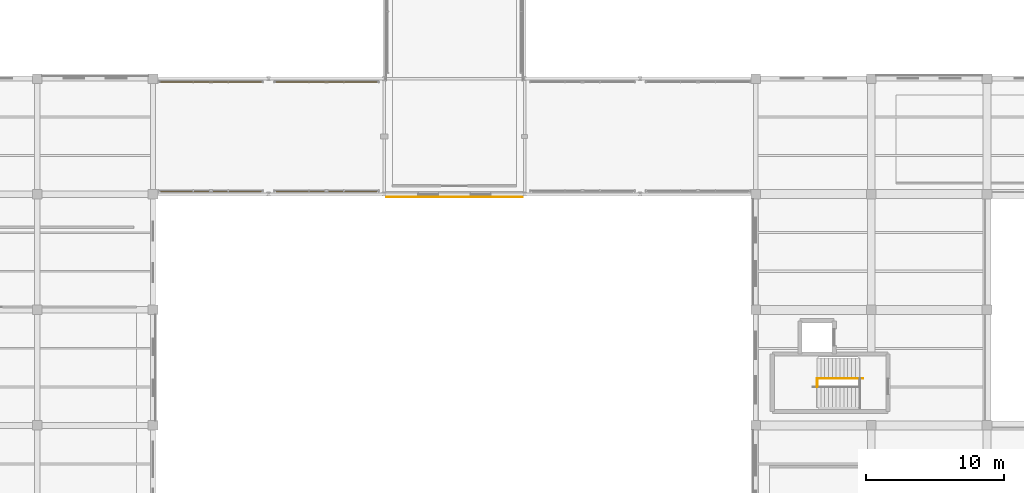
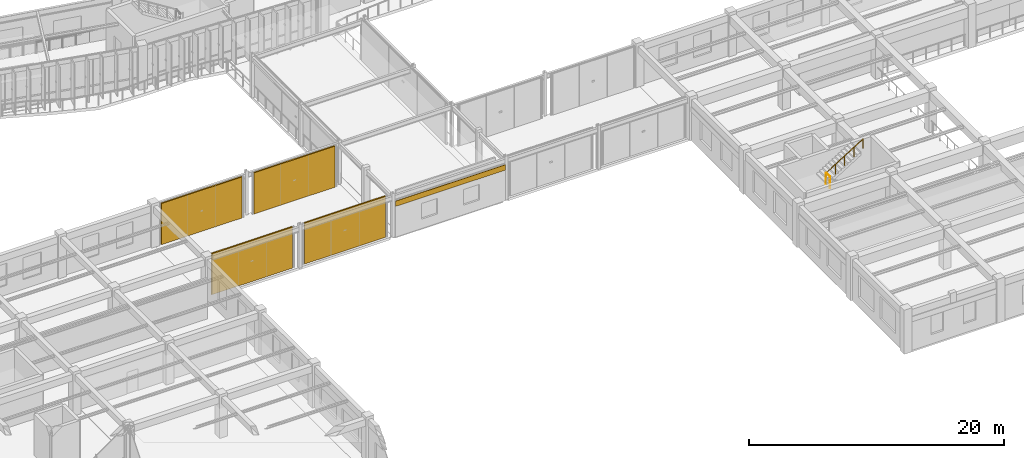
# One storey, part 140 of 152: 4 shading devices, 2 railings, 1 covering.
"""IFC4 building model written with IfcOpenShell, lengths in metres."""

import ifcopenshell
import ifcopenshell.guid

model = None  # the IFC model being written
_history = None  # IfcOwnerHistory: only IFC2X3 demands one
_inside = {}  # id of a spatial element -> (the spatial element, [elements in it])
_under = {}  # id of a project, library or spatial element -> (it, [spatial elements below it])
_declared = {}  # id of a project -> (the project, [libraries it declares])
_typed = {}  # id of a type object -> (the type object, [elements of that type])
_made_of = {}  # id of a material, layer set ... -> (it, [elements and type objects made of it])


def new_model(schema):
    """Start an empty IFC model of exactly this schema.

    Asked for "IFC4X3", IfcOpenShell would pick the latest addendum, in which some entities
    have other attributes; the version numbers below select the first issue.
    IFC2X3 requires an IfcOwnerHistory on every rooted entity: one is made here for all.
    """
    global model, _history
    if schema == "IFC4X3":
        model = ifcopenshell.file(schema_version=(4, 3, 0, 0))
    else:
        model = ifcopenshell.file(schema=schema)
    _inside.clear()
    _under.clear()
    _declared.clear()
    _typed.clear()
    _made_of.clear()
    _history = None
    if model.schema == "IFC2X3":
        org = make("IfcOrganization", Name="unknown")
        user = make(
            "IfcPersonAndOrganization",
            ThePerson=make("IfcPerson", FamilyName="unknown"),
            TheOrganization=org,
        )
        app = make(
            "IfcApplication",
            ApplicationDeveloper=org,
            Version="unknown",
            ApplicationFullName="unknown",
            ApplicationIdentifier="unknown",
        )
        _history = make(
            "IfcOwnerHistory",
            OwningUser=user,
            OwningApplication=app,
            ChangeAction="ADDED",
            CreationDate=0,
        )
    return model


def make(cls, **values):
    """One entity of the class cls with the attributes given. An attribute that is None is left unset."""
    return model.create_entity(
        cls, **{name: value for name, value in values.items() if value is not None}
    )


def rooted(cls, **values):
    """An entity with a GlobalId (a new one), such as an element, a storey or a relation."""
    return make(cls, GlobalId=ifcopenshell.guid.new(), OwnerHistory=_history, **values)


def si_unit(unit_type, name, prefix=None):
    """IfcSIUnit, for example si_unit("LENGTHUNIT", "METRE", prefix="MILLI")."""
    return make("IfcSIUnit", UnitType=unit_type, Prefix=prefix, Name=name)


def assignment(units):
    """IfcUnitAssignment: the units of a project."""
    return None if units is None else make("IfcUnitAssignment", Units=units)


def point(xyz):
    """IfcCartesianPoint."""
    return None if xyz is None else make("IfcCartesianPoint", Coordinates=xyz)


def direction(xyz):
    """IfcDirection."""
    return None if xyz is None else make("IfcDirection", DirectionRatios=xyz)


def frame(location, z_axis=None, x_axis=None):
    """IfcAxis2Placement3D, a coordinate frame: its origin and axes. An axis left out is left unset."""
    return make(
        "IfcAxis2Placement3D",
        Location=point(location),
        Axis=direction(z_axis),
        RefDirection=direction(x_axis),
    )


def frame_2d(location, x_axis=None):
    """IfcAxis2Placement2D, a coordinate frame in the plane: its origin and x axis."""
    return make(
        "IfcAxis2Placement2D", Location=point(location), RefDirection=direction(x_axis)
    )


def origin():
    """The frame at (0, 0, 0) with its axes left unset."""
    return frame((0.0, 0.0, 0.0))


def origin_2d():
    """The frame at (0, 0) in the plane with its x axis left unset."""
    return frame_2d((0.0, 0.0))


def place(relative_to, where):
    """IfcLocalPlacement: puts the frame where relative to a parent placement (None: the world)."""
    return make(
        "IfcLocalPlacement", PlacementRelTo=relative_to, RelativePlacement=where
    )


def context(
    kind, dimensions, precision=None, world=None, true_north=None, identifier=None
):
    """IfcGeometricRepresentationContext, for example the 3D "Model" context."""
    return make(
        "IfcGeometricRepresentationContext",
        ContextIdentifier=identifier,
        ContextType=kind,
        CoordinateSpaceDimension=dimensions,
        Precision=precision,
        WorldCoordinateSystem=world,
        TrueNorth=true_north,
    )


def subcontext(parent, identifier, kind, view, scale=None):
    """IfcGeometricRepresentationSubContext, for example "Body" below "Model"."""
    return make(
        "IfcGeometricRepresentationSubContext",
        ContextIdentifier=identifier,
        ContextType=kind,
        ParentContext=parent,
        TargetScale=scale,
        TargetView=view,
    )


def project(units=None, contexts=None):
    """IfcProject with its units and contexts."""
    return rooted(
        "IfcProject",
        Name="project",
        RepresentationContexts=contexts,
        UnitsInContext=assignment(units),
    )


def spatial(cls, under=None, at=None, **own):
    """A site, building, storey or space (cls), placed at a placement, below another one or the project."""
    s = rooted(cls, ObjectPlacement=at, **own)
    if under is not None:
        _under.setdefault(under.id(), (under, []))[1].append(s)
    return s


def polyline(points):
    """IfcPolyline through the points."""
    return make("IfcPolyline", Points=[point(p) for p in points])


def profile(cls, at=None, kind="AREA", **sizes):
    """A parametric profile (cls). Its sizes go by their IFC names, for example OverallWidth=200.0."""
    return make(cls, ProfileType=kind, Position=at, **sizes)


def rectangle(**sizes):
    """IfcRectangleProfileDef."""
    return profile("IfcRectangleProfileDef", **sizes)


def circle(**sizes):
    """IfcCircleProfileDef."""
    return profile("IfcCircleProfileDef", **sizes)


def outline(outer, holes=None, kind="AREA"):
    """IfcArbitraryClosedProfileDef: a profile drawn as a closed curve; with holes, ...WithVoids."""
    if holes is None:
        return make("IfcArbitraryClosedProfileDef", ProfileType=kind, OuterCurve=outer)
    return make(
        "IfcArbitraryProfileDefWithVoids",
        ProfileType=kind,
        OuterCurve=outer,
        InnerCurves=holes,
    )


def extrude(swept, where, along, depth):
    """IfcExtrudedAreaSolid: the profile swept, set in the frame where, extruded along a direction by depth."""
    return make(
        "IfcExtrudedAreaSolid",
        SweptArea=swept,
        Position=where,
        ExtrudedDirection=direction(along),
        Depth=depth,
    )


def shape(context_of_items, identifier, shape_type, items):
    """IfcShapeRepresentation: the items that make up one representation, for example the "Body"."""
    return make(
        "IfcShapeRepresentation",
        ContextOfItems=context_of_items,
        RepresentationIdentifier=identifier,
        RepresentationType=shape_type,
        Items=items,
    )


def material(Name=None, Category=None):
    """IfcMaterial."""
    return make("IfcMaterial", Name=Name, Category=Category)


def layer(
    of_material, thickness, ventilated=None, Name=None, Category=None, Priority=None
):
    """IfcMaterialLayer: one layer of a wall or slab, of a material (None: an air gap)."""
    return make(
        "IfcMaterialLayer",
        Material=of_material,
        LayerThickness=thickness,
        IsVentilated=ventilated,
        Name=Name,
        Category=Category,
        Priority=Priority,
    )


def layer_set(layers, Name=None):
    """IfcMaterialLayerSet."""
    return make("IfcMaterialLayerSet", MaterialLayers=layers, LayerSetName=Name)


def made_of(thing, what):
    """Note that an element or type object is made of a material, layer set ...; save() writes the relation."""
    if what is not None:
        _made_of.setdefault(what.id(), (what, []))[1].append(thing)
    return thing


def type_object(cls, material=None, **own):
    """A type object (cls), such as IfcWallType, which elements share."""
    return made_of(rooted(cls, **own), material)


def element(
    cls,
    number,
    at=None,
    inside=None,
    cuts=None,
    type_object=None,
    material=None,
    context=None,
    identifier="Body",
    shape_type=None,
    held_by="IfcProductDefinitionShape",
    body=None,
    shapes=None,
    **own,
):
    """One element of the class cls, such as IfcWall. Its Tag is "e" and its number.

    at: its placement. inside: the storey or other place that contains it. cuts: it is an
    opening in that element (IfcRelVoidsElement). A single representation is given by context,
    identifier, shape_type and body (its items); several are given by shapes. held_by: the class
    of the entity that holds the representations. save() writes the other relations.
    """
    e = rooted(cls, Tag="e%d" % number, ObjectPlacement=at, **own)
    if body is not None:
        shapes = [shape(context, identifier, shape_type, body)]
    if shapes is not None:
        e.Representation = make(held_by, Representations=shapes)
    if inside is not None:
        _inside.setdefault(inside.id(), (inside, []))[1].append(e)
    if cuts is not None:
        rooted(
            "IfcRelVoidsElement", RelatingBuildingElement=cuts, RelatedOpeningElement=e
        )
    if type_object is not None:
        _typed.setdefault(type_object.id(), (type_object, []))[1].append(e)
    return made_of(e, material)


def aggregate(whole, parts):
    """IfcRelAggregates: a whole, such as a stair, and the parts it consists of."""
    return rooted("IfcRelAggregates", RelatingObject=whole, RelatedObjects=parts)


def save(model, path):
    """Write the relations noted so far, then the file.

    IfcRelAggregates (storeys below a building ...), IfcRelContainedInSpatialStructure (elements
    in a storey), IfcRelDefinesByType, IfcRelAssociatesMaterial and IfcRelDeclares: one each for
    every whole, place, type object, material and project.
    """
    for whole, parts in _under.values():
        aggregate(whole, parts)
    for where, things in _inside.values():
        rooted(
            "IfcRelContainedInSpatialStructure",
            RelatedElements=things,
            RelatingStructure=where,
        )
    for kind, things in _typed.values():
        rooted("IfcRelDefinesByType", RelatedObjects=things, RelatingType=kind)
    for what, things in _made_of.values():
        rooted("IfcRelAssociatesMaterial", RelatedObjects=things, RelatingMaterial=what)
    for by, libraries in _declared.values():
        rooted("IfcRelDeclares", RelatingContext=by, RelatedDefinitions=libraries)
    model.write(path)


model = new_model("IFC4")

# Units and contexts
model_context = context("Model", 3, precision=1e-05, world=origin(), true_north=direction((0.0, 1.0)))
body_context = subcontext(model_context, "Body", "Model", "MODEL_VIEW")
ifc_project = project(units=[si_unit("LENGTHUNIT", "METRE"), si_unit("AREAUNIT", "SQUARE_METRE"), si_unit("VOLUMEUNIT", "CUBIC_METRE"), si_unit("PLANEANGLEUNIT", "RADIAN"), si_unit("MASSUNIT", "GRAM", prefix="KILO"), si_unit("THERMODYNAMICTEMPERATUREUNIT", "KELVIN"), si_unit("POWERUNIT", "WATT")], contexts=[model_context])

# Site, building, storey
site_placement = place(None, origin())
site = spatial("IfcSite", under=ifc_project, at=site_placement, CompositionType="ELEMENT")
building_placement = place(site_placement, origin())
building = spatial("IfcBuilding", under=site, at=building_placement, Name="Darbajah Civic Hall", CompositionType="ELEMENT")
storey_placement = place(building_placement, frame((0.0, 0.0, 5.39990234375)))
storey = spatial("IfcBuildingStorey", under=building, at=storey_placement, Name="L01", CompositionType="ELEMENT", Elevation=5.39990234375)

# Railings
ifc_material_1 = material(Name="Brushed Bronze Stainless Steel", Category="steel")
railing_type_1 = type_object("IfcRailingType", Name="Brushed Bronze Handrail", PredefinedType="HANDRAIL", material=ifc_material_1)
railing_1_placement = place(storey_placement, frame((115.43994140625, 20.199951171875, 2.275146484375)))
element("IfcRailing", 1, at=railing_1_placement, inside=storey, type_object=railing_type_1, Name="ST06 L01 upper flight handrail", PredefinedType="HANDRAIL", context=body_context, shape_type="SweptSolid", body=[
    extrude(circle(Radius=0.02392578125, at=origin_2d()), frame((0.023193359375, 0.0, 0.910400390625), z_axis=(0.845944288966, 0.0, 0.533271281775), x_axis=(0.0, 1.0, 0.0)), (0.0, 0.0, 1.0), 3.91748046875),
    extrude(circle(Radius=0.02099609375, at=origin_2d()), origin(), (0.0, 0.0, 1.0), 0.867919921875),
    extrude(circle(Radius=0.02099609375, at=origin_2d()), frame((0.840087890625, 0.0, 0.529541015625)), (0.0, 0.0, 1.0), 0.867919921875),
    extrude(circle(Radius=0.02099609375, at=origin_2d()), frame((1.68017578125, 0.0, 1.05908203125)), (0.0, 0.0, 1.0), 0.867919921875),
    extrude(circle(Radius=0.02099609375, at=origin_2d()), frame((2.52001953125, 0.0, 1.588623046875)), (0.0, 0.0, 1.0), 0.867919921875),
    extrude(circle(Radius=0.02099609375, at=origin_2d()), frame((3.360107421875, 0.0, 2.1181640625)), (0.0, 0.0, 1.0), 0.867919921875),
])
ifc_material_2 = material(Name="Brushed Bronze and Laminated Safety Glass", Category="glass")
railing_type_2 = type_object("IfcRailingType", Name="Interior Guard Balustrade", PredefinedType="BALUSTRADE", material=ifc_material_2)
railing_2_placement = place(storey_placement, frame((115.4599609375, 19.60009765625, 2.10009765625)))
element("IfcRailing", 2, at=railing_2_placement, inside=storey, type_object=railing_type_2, Name="ST06 L01 landing well guard", PredefinedType="BALUSTRADE", context=body_context, shape_type="SweptSolid", body=[
    extrude(circle(Radius=0.02392578125, at=origin_2d()), frame((0.0, 0.02734375, 1.09619140625), z_axis=(0.0, 1.0, 0.0), x_axis=(-1.0, 0.0, 0.0)), (0.0, 0.0, 1.0), 0.545166015625),
    extrude(circle(Radius=0.02099609375, at=origin_2d()), origin(), (0.0, 0.0, 1.0), 1.068115234375),
    extrude(circle(Radius=0.02099609375, at=origin_2d()), frame((0.0, 0.599853515625, 0.0)), (0.0, 0.0, 1.0), 1.068115234375),
])

# Covering
ifc_material_3 = material(Name="Qatari Desert Limestone Ashlar", Category="masonry")
ifc_layer_1 = layer(ifc_material_3, 0.044921875, Name="Qatari Desert Limestone Ashlar")
ifc_layer_set_1 = layer_set([ifc_layer_1], Name="Qatari Desert Limestone Ashlar")
covering_type = type_object("IfcCoveringType", Name="Limestone Facade Cladding", PredefinedType="CLADDING", material=ifc_layer_set_1)
covering_placement = place(storey_placement, frame((0.0, 0.0, 2.97314453125)))
element("IfcCovering", 3, at=covering_placement, inside=storey, type_object=covering_type, Name="L01 stone frieze cladding EW-V6-PISHTAQ-S-L01", PredefinedType="CLADDING", context=body_context, shape_type="SweptSolid", body=[
    extrude(outline(polyline([(84.130126953125, 33.409912109375), (94.06982421875, 33.409912109375), (94.06982421875, 33.364990234375), (84.130126953125, 33.364990234375), (84.130126953125, 33.409912109375)])), origin(), (0.0, 0.0, 1.0), 0.5),
])

# Shading devices
ifc_material_4 = material(Name="Pierced Qatari Desert Limestone Jali", Category="masonry")
ifc_layer_2 = layer(ifc_material_4, 0.1201171875, Name="Pierced Qatari Desert Limestone Jali")
ifc_layer_set_2 = layer_set([ifc_layer_2], Name="Pierced Qatari Desert Limestone Jali")
shading_device_type = type_object("IfcShadingDeviceType", Name="Pierced Qatari Limestone Jali Screen", PredefinedType="JALOUSIE", material=ifc_layer_set_2)
for number, where, z_axis, x_axis, name in (
    (4, (71.39990234375, 33.85009765625, 0.0), (0.0, 0.0, 1.0), (1.0, 0.0, 0.0), "L01 pierced limestone jali screen SW-S"),
    (5, (79.800048828125, 33.85009765625, 0.0), (0.0, 0.0, 1.0), (1.0, 0.0, 0.0), "L01 pierced limestone jali screen SW-S2"),
    (6, (71.39990234375, 41.75, 0.0), (0.0, 0.0, 1.0), (1.0, 0.0, 0.0), "L01 pierced limestone jali screen SW-N"),
    (7, (79.800048828125, 41.75, 0.0), (0.0, 0.0, 1.0), (1.0, 0.0, 0.0), "L01 pierced limestone jali screen SW-N2"),
):
    element("IfcShadingDevice", number, at=place(storey_placement, frame(where, z_axis=z_axis, x_axis=x_axis)), inside=storey, type_object=shading_device_type, Name=name, PredefinedType="JALOUSIE", context=body_context, shape_type="SweptSolid", body=[
        extrude(rectangle(XDim=7.300048828125, YDim=0.1201171875, at=origin_2d()), origin(), (0.0, 0.0, 1.0), 3.929931640625),
    ])

save(model, "model.ifc")
